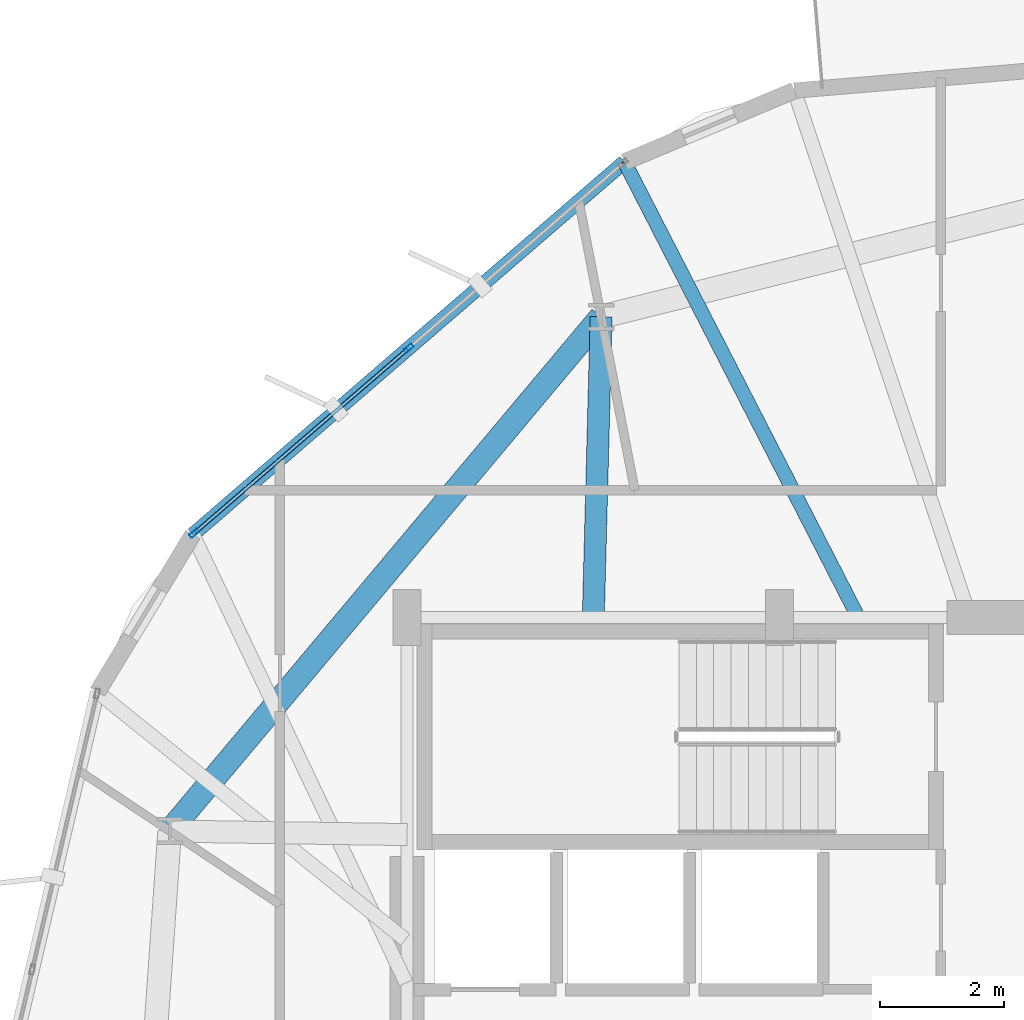
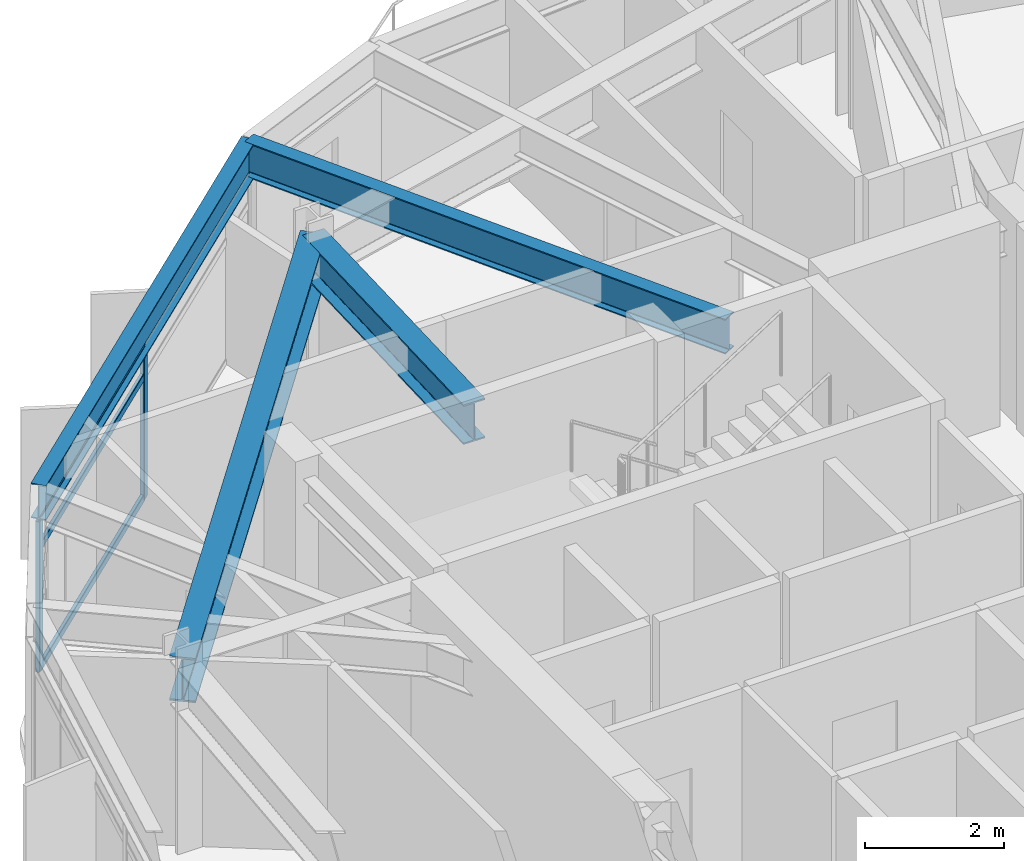
# One storey, part 15 of 27: 5 members, 4 beams, 1 element without a shape of its own.
"""IFC4 building model written with IfcOpenShell, lengths in metres."""

from ifc_helpers import new_model, si_unit, direction, frame, origin, origin_2d, place, context, subcontext, project, spatial, hollow_rectangle, i_section, extrude, material, layer, layer_set, material_profile, profile_set, type_object, element, aggregate, save


model = new_model("IFC4")

# Units and contexts
model_context = context("Model", 3, precision=1e-05, world=origin(), true_north=direction((0.0, 1.0)))
body_context = subcontext(model_context, "Body", "Model", "MODEL_VIEW")
ifc_project = project(units=[si_unit("LENGTHUNIT", "METRE"), si_unit("AREAUNIT", "SQUARE_METRE"), si_unit("VOLUMEUNIT", "CUBIC_METRE"), si_unit("PLANEANGLEUNIT", "RADIAN"), si_unit("MASSUNIT", "GRAM", prefix="KILO")], contexts=[model_context])

# Site, building, storey
site_placement = place(None, origin())
site = spatial("IfcSite", under=ifc_project, at=site_placement, CompositionType="ELEMENT")
building_placement = place(site_placement, origin())
building = spatial("IfcBuilding", under=site, at=building_placement, Name="Soratama Intermodal Tower", CompositionType="ELEMENT")
storey_placement = place(building_placement, frame((0.0, 0.0, 182.199951171875)))
storey = spatial("IfcBuildingStorey", under=building, at=storey_placement, Name="L45", CompositionType="ELEMENT", Elevation=182.199951171875)

# Beams
ifc_material_1 = material(Name="Structural steel ASTM A992 Grade 50", Category="steel")
ifc_material_profile_1 = material_profile(ifc_material_1, i_section(OverallWidth=0.35498046875, OverallDepth=0.695068359375, WebThickness=0.015380859375, FlangeThickness=0.02490234375, FilletRadius=0.01611328125, at=origin_2d()), Name="W27X146")
ifc_profile_set_1 = profile_set([ifc_material_profile_1], Name="Structural steel ASTM A992 Grade 50")
beam_type_1 = type_object("IfcBeamType", Name="BM-RING-W27X146", PredefinedType="BEAM", material=ifc_profile_set_1)
beam_1_placement = place(storey_placement, frame((35.60009765625, 35.0, 2.91259765625), z_axis=(0.026013685955, 0.99966158681, 0.0), x_axis=(-0.99966158681, 0.026013685955, 0.0)))
element("IfcBeam", 1, at=beam_1_placement, inside=storey, type_object=beam_type_1, Name="BM-L45-RAD-04", PredefinedType="BEAM", context=body_context, shape_type="SweptSolid", body=[
    extrude(i_section(OverallWidth=0.35498046875, OverallDepth=0.695068359375, WebThickness=0.015380859375, FlangeThickness=0.02490234375, FilletRadius=0.01611328125, at=origin_2d()), origin(), (0.0, 0.0, 1.0), 4.8427734375),
])
ifc_material_2 = material(Name="Structural steel ASTM A992 Grade 50", Category="steel")
ifc_material_profile_2 = material_profile(ifc_material_2, i_section(OverallWidth=0.382080078125, OverallDepth=0.779052734375, WebThickness=0.01806640625, FlangeThickness=0.030029296875, FilletRadius=0.01806640625, at=origin_2d()), Name="W30X191")
ifc_profile_set_2 = profile_set([ifc_material_profile_2], Name="Structural steel ASTM A992 Grade 50")
beam_type_2 = type_object("IfcBeamType", Name="BM-RING-W30X191", PredefinedType="BEAM", material=ifc_profile_set_2)
beam_2_placement = place(storey_placement, frame((35.72607421875, 39.841064453125, 2.87060546875), z_axis=(-0.642791781199, -0.766040942785, 0.0), x_axis=(0.766040942785, -0.642791781199, 0.0)))
element("IfcBeam", 2, at=beam_2_placement, inside=storey, type_object=beam_type_2, Name="BM-L45-RING-04", PredefinedType="BEAM", context=body_context, shape_type="SweptSolid", body=[
    extrude(i_section(OverallWidth=0.382080078125, OverallDepth=0.779052734375, WebThickness=0.01806640625, FlangeThickness=0.030029296875, FilletRadius=0.01806640625, at=origin_2d()), origin(), (0.0, 0.0, 1.0), 10.815673828125),
])
ifc_material_3 = material(Name="Structural steel ASTM A992 Grade 50", Category="steel")
ifc_material_profile_3 = material_profile(ifc_material_3, i_section(OverallWidth=0.22900390625, OverallDepth=0.612060546875, WebThickness=0.011962890625, FlangeThickness=0.01953125, FilletRadius=0.012939453125, at=origin_2d()), Name="W24X84")
ifc_profile_set_3 = profile_set([ifc_material_profile_3], Name="Structural steel ASTM A992 Grade 50")
beam_type_3 = type_object("IfcBeamType", Name="BM-SPN-W24X84", PredefinedType="SPANDREL", material=ifc_profile_set_3)
beam_3_placement = place(storey_placement, frame((36.10205078125, 42.339111328125, 2.9541015625), z_axis=(-0.756958016924, -0.653463511311, 0.0), x_axis=(0.653463511311, -0.756958016924, 0.0)))
element("IfcBeam", 3, at=beam_3_placement, inside=storey, type_object=beam_type_3, Name="BS-L45-F03", PredefinedType="SPANDREL", context=body_context, shape_type="SweptSolid", body=[
    extrude(i_section(OverallWidth=0.22900390625, OverallDepth=0.612060546875, WebThickness=0.011962890625, FlangeThickness=0.01953125, FilletRadius=0.012939453125, at=origin_2d()), origin(), (0.0, 0.0, 1.0), 9.188232421875),
])
ifc_material_4 = material(Name="Structural steel ASTM A992 Grade 50", Category="steel")
ifc_material_profile_4 = material_profile(ifc_material_4, i_section(OverallWidth=0.22900390625, OverallDepth=0.612060546875, WebThickness=0.011962890625, FlangeThickness=0.01953125, FilletRadius=0.012939453125, at=origin_2d()), Name="W24X84")
ifc_profile_set_4 = profile_set([ifc_material_profile_4], Name="Structural steel ASTM A992 Grade 50")
beam_type_4 = type_object("IfcBeamType", Name="BM-TIE-W24X84", PredefinedType="BEAM", material=ifc_profile_set_4)
beam_4_placement = place(storey_placement, frame((39.85009765625, 35.035888671875, 2.9541015625), z_axis=(-0.456587130679, 0.88967870161, 0.0), x_axis=(-0.88967870161, -0.456587130679, 0.0)))
element("IfcBeam", 4, at=beam_4_placement, inside=storey, type_object=beam_type_4, Name="BM-L45-TIE0-03", PredefinedType="BEAM", context=body_context, shape_type="SweptSolid", body=[
    extrude(i_section(OverallWidth=0.22900390625, OverallDepth=0.612060546875, WebThickness=0.011962890625, FlangeThickness=0.01953125, FilletRadius=0.012939453125, at=origin_2d()), origin(), (0.0, 0.0, 1.0), 8.208740234375),
])

# Curtain wall, members
ifc_material_5 = material(Name="Double-glazed aluminium curtain wall", Category="aluminium")
ifc_layer = layer(ifc_material_5, 0.159912109375)
ifc_layer_set = layer_set([ifc_layer], Name="Double-glazed aluminium curtain wall")
curtain_wall_type = type_object("IfcCurtainWallType", Name="CW-SYS-4", PredefinedType="NOTDEFINED", material=ifc_layer_set)
curtain_wall_placement = place(storey_placement, origin())
curtain_wall = element("IfcCurtainWall", 5, at=curtain_wall_placement, inside=storey, type_object=curtain_wall_type, Name="L45 Faceted Curtain Wall F03", PredefinedType="NOTDEFINED")
ifc_material_6 = material(Name="Anodised aluminium AA 6063-T6", Category="aluminium")
ifc_material_profile_5 = material_profile(ifc_material_6, hollow_rectangle(XDim=0.070068359375, YDim=0.159912109375, WallThickness=0.0048828125, InnerFilletRadius=0.0048828125, OuterFilletRadius=0.010009765625, at=origin_2d()), Name="CWM160X70X5")
ifc_profile_set_5 = profile_set([ifc_material_profile_5], Name="Anodised aluminium AA 6063-T6")
member_type_1 = type_object("IfcMemberType", Name="MT-CWM-4", PredefinedType="MULLION", material=ifc_profile_set_5)
member_1_placement = place(storey_placement, frame((32.624755859375, 39.336669921875, 0.0), z_axis=(0.0, 0.0, 1.0), x_axis=(0.653423478427, -0.756992574495, 0.0)))
member_1 = element("IfcMember", 6, at=member_1_placement, type_object=member_type_1, Name="CW-4 mullion 2", PredefinedType="MULLION", context=body_context, shape_type="SweptSolid", body=[
    extrude(hollow_rectangle(XDim=0.070068359375, YDim=0.159912109375, WallThickness=0.0048828125, InnerFilletRadius=0.0048828125, OuterFilletRadius=0.010009765625, at=origin_2d()), origin(), (0.0, 0.0, 1.0), 2.63916015625),
])
member_2_placement = place(storey_placement, frame((29.169921875, 36.3544921875, 0.0), z_axis=(0.0, 0.0, 1.0), x_axis=(0.653423478427, -0.756992574495, 0.0)))
member_2 = element("IfcMember", 7, at=member_2_placement, type_object=member_type_1, Name="CW-4 mullion 3", PredefinedType="MULLION", context=body_context, shape_type="SweptSolid", body=[
    extrude(hollow_rectangle(XDim=0.070068359375, YDim=0.159912109375, WallThickness=0.0048828125, InnerFilletRadius=0.0048828125, OuterFilletRadius=0.010009765625, at=origin_2d()), origin(), (0.0, 0.0, 1.0), 2.63916015625),
])
ifc_material_7 = material(Name="Anodised aluminium AA 6063-T6", Category="aluminium")
ifc_material_profile_6 = material_profile(ifc_material_7, hollow_rectangle(XDim=0.06005859375, YDim=0.1298828125, WallThickness=0.0048828125, InnerFilletRadius=0.0048828125, OuterFilletRadius=0.010009765625, at=origin_2d()), Name="CWT130X60X5")
ifc_profile_set_6 = profile_set([ifc_material_profile_6], Name="Anodised aluminium AA 6063-T6")
member_type_2 = type_object("IfcMemberType", Name="TT-CWT-2", PredefinedType="USERDEFINED", material=ifc_profile_set_6)
member_3_placement = place(storey_placement, frame((32.60205078125, 39.317138671875, 0.030029296875), z_axis=(-0.756975339047, -0.6534434452, 0.0), x_axis=(0.6534434452, -0.756975339047, 0.0)))
member_3 = element("IfcMember", 8, at=member_3_placement, type_object=member_type_2, Name="CW-4 transom 2.1", ObjectType="TRANSOM", PredefinedType="USERDEFINED", context=body_context, shape_type="SweptSolid", body=[
    extrude(hollow_rectangle(XDim=0.06005859375, YDim=0.1298828125, WallThickness=0.0048828125, InnerFilletRadius=0.0048828125, OuterFilletRadius=0.010009765625, at=origin_2d()), origin(), (0.0, 0.0, 1.0), 4.50390625),
])
member_4_placement = place(storey_placement, frame((32.60205078125, 39.317138671875, 2.150146484375), z_axis=(-0.756975339047, -0.6534434452, 0.0), x_axis=(0.6534434452, -0.756975339047, 0.0)))
member_4 = element("IfcMember", 9, at=member_4_placement, type_object=member_type_2, Name="CW-4 transom 2.2", ObjectType="TRANSOM", PredefinedType="USERDEFINED", context=body_context, shape_type="SweptSolid", body=[
    extrude(hollow_rectangle(XDim=0.06005859375, YDim=0.1298828125, WallThickness=0.0048828125, InnerFilletRadius=0.0048828125, OuterFilletRadius=0.010009765625, at=origin_2d()), origin(), (0.0, 0.0, 1.0), 4.50390625),
])
member_5_placement = place(storey_placement, frame((32.60205078125, 39.317138671875, 2.609130859375), z_axis=(-0.756975339047, -0.6534434452, 0.0), x_axis=(0.6534434452, -0.756975339047, 0.0)))
member_5 = element("IfcMember", 10, at=member_5_placement, type_object=member_type_2, Name="CW-4 transom 2.3", ObjectType="TRANSOM", PredefinedType="USERDEFINED", context=body_context, shape_type="SweptSolid", body=[
    extrude(hollow_rectangle(XDim=0.06005859375, YDim=0.1298828125, WallThickness=0.0048828125, InnerFilletRadius=0.0048828125, OuterFilletRadius=0.010009765625, at=origin_2d()), origin(), (0.0, 0.0, 1.0), 4.50390625),
])
aggregate(curtain_wall, [member_1, member_2, member_3, member_4, member_5])

save(model, "model.ifc")
